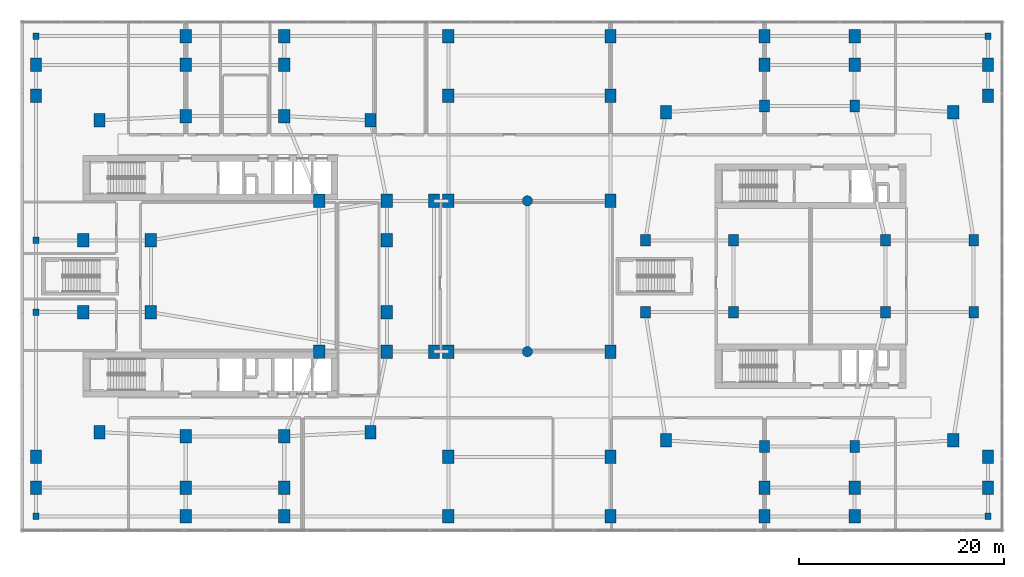
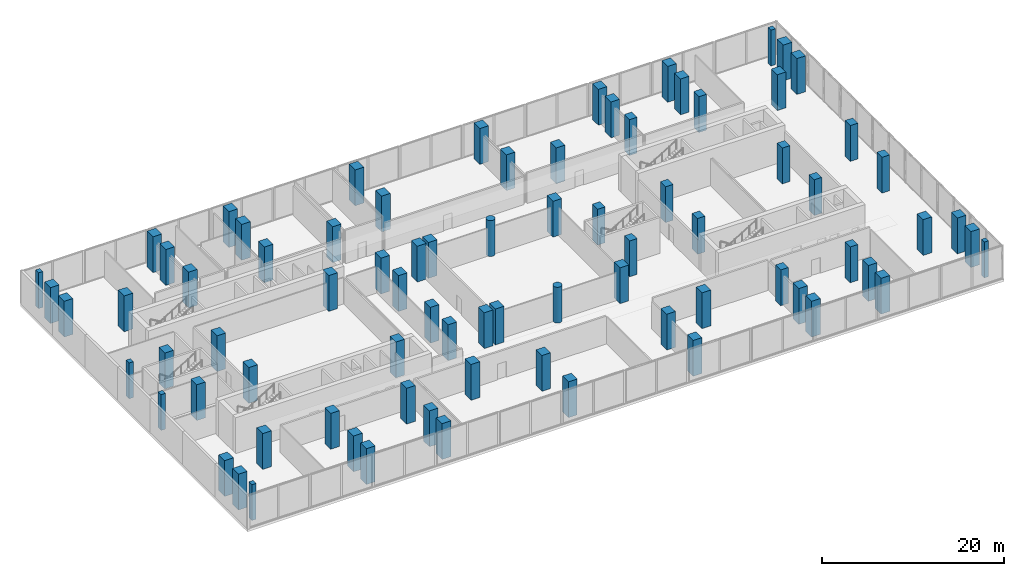
# One storey, part 1 of 23: 80 columns.
"""IFC4 building model written with IfcOpenShell, lengths in metres."""

from ifc_helpers import new_model, si_unit, derived_unit, direction, frame, origin, origin_2d, place, context, subcontext, project, spatial, rectangle, circle, extrude, material, material_profile, profile_set, type_object, element, save


model = new_model("IFC4")

# Units and contexts
model_context = context("Model", 3, precision=1e-05, world=origin(), true_north=direction((0.0, 1.0)))
body_context = subcontext(model_context, "Body", "Model", "MODEL_VIEW")
ifc_project = project(units=[si_unit("LENGTHUNIT", "METRE"), si_unit("AREAUNIT", "SQUARE_METRE"), si_unit("VOLUMEUNIT", "CUBIC_METRE"), si_unit("PLANEANGLEUNIT", "RADIAN"), si_unit("MASSUNIT", "GRAM", prefix="KILO"), derived_unit("THERMALTRANSMITTANCEUNIT", [(si_unit("POWERUNIT", "WATT"), 1), (si_unit("LENGTHUNIT", "METRE"), -2), (si_unit("THERMODYNAMICTEMPERATUREUNIT", "KELVIN"), -1)])], contexts=[model_context])

# Site, building, storey
site_placement = place(None, origin())
site = spatial("IfcSite", under=ifc_project, at=site_placement, CompositionType="ELEMENT")
building_placement = place(site_placement, origin())
building = spatial("IfcBuilding", under=site, at=building_placement, Name="Kivonza Crest Hotel", CompositionType="ELEMENT")
storey_placement = place(building_placement, frame((0.0, 0.0, 5.39990234375)))
storey = spatial("IfcBuildingStorey", under=building, at=storey_placement, Name="L01", CompositionType="ELEMENT", Elevation=5.39990234375)

# Columns
ifc_material = material(Name="Concrete C60/75", Category="concrete")
ifc_material_profile_1 = material_profile(ifc_material, rectangle(XDim=0.550048828125, YDim=0.64990234375, at=origin_2d()), Name="RC 650x550")
ifc_profile_set_1 = profile_set([ifc_material_profile_1], Name="Concrete C60/75")
column_type_1 = type_object("IfcColumnType", Name="CL-PIL-650x550", PredefinedType="PILASTER", material=ifc_profile_set_1)
for number, where, z_axis, x_axis, name in (
    (1, (1.60009765625, 21.5, 0.0), (0.0, 0.0, 1.0), (1.0, 0.0, 0.0), "Tower T1 L01 column Z1W1"),
    (2, (1.60009765625, 28.5, 0.0), (0.0, 0.0, 1.0), (1.0, 0.0, 0.0), "Tower T1 L01 column Z1W2"),
    (3, (1.60009765625, 1.60009765625, 0.0), (0.0, 0.0, 1.0), (1.0, 0.0, 0.0), "Podium L01 column PS01"),
    (4, (1.60009765625, 48.39990234375, 0.0), (0.0, 0.0, 1.0), (1.0, 0.0, 0.0), "Podium L01 column PN01"),
    (5, (94.39990234375, 1.60009765625, 0.0), (0.0, 0.0, 1.0), (1.0, 0.0, 0.0), "Podium L01 column PS08"),
    (6, (94.39990234375, 48.39990234375, 0.0), (0.0, 0.0, 1.0), (1.0, 0.0, 0.0), "Podium L01 column PN08"),
):
    element("IfcColumn", number, at=place(storey_placement, frame(where, z_axis=z_axis, x_axis=x_axis)), inside=storey, type_object=column_type_1, Name=name, PredefinedType="PILASTER", context=body_context, shape_type="SweptSolid", body=[
        extrude(rectangle(XDim=0.550048828125, YDim=0.64990234375, at=origin_2d()), origin(), (0.0, 0.0, 1.0), 4.800048828125),
    ])
ifc_material_profile_2 = material_profile(ifc_material, rectangle(XDim=0.949951171875, YDim=1.14990234375, at=origin_2d()), Name="RC 1150x950")
ifc_profile_set_2 = profile_set([ifc_material_profile_2], Name="Concrete C60/75")
column_type_2 = type_object("IfcColumnType", Name="CL-RC-1150x950", PredefinedType="COLUMN", material=ifc_profile_set_2)
for number, where, z_axis, x_axis, name in (
    (7, (72.60009765625, 8.39990234375, 0.0), (0.0, 0.0, 1.0), (1.0, 0.0, 0.0), "Companion Tower T2 L01 column S1"),
    (8, (81.39990234375, 8.39990234375, 0.0), (0.0, 0.0, 1.0), (1.0, 0.0, 0.0), "Companion Tower T2 L01 column S2"),
    (9, (72.60009765625, 41.60009765625, 0.0), (0.0, 0.0, 1.0), (1.0, 0.0, 0.0), "Companion Tower T2 L01 column N1"),
    (10, (81.39990234375, 41.60009765625, 0.0), (0.0, 0.0, 1.0), (1.0, 0.0, 0.0), "Companion Tower T2 L01 column N2"),
    (11, (61.0, 21.5, 0.0), (0.0, 0.0, 1.0), (1.0, 0.0, 0.0), "Companion Tower T2 L01 column W1"),
    (12, (61.0, 28.5, 0.0), (0.0, 0.0, 1.0), (1.0, 0.0, 0.0), "Companion Tower T2 L01 column W2"),
    (13, (93.0, 21.5, 0.0), (0.0, 0.0, 1.0), (1.0, 0.0, 0.0), "Companion Tower T2 L01 column E1"),
    (14, (93.0, 28.5, 0.0), (0.0, 0.0, 1.0), (1.0, 0.0, 0.0), "Companion Tower T2 L01 column E2"),
    (15, (69.60009765625, 21.5, 0.0), (0.0, 0.0, 1.0), (1.0, 0.0, 0.0), "Companion Tower T2 L01 column WL1"),
    (16, (69.60009765625, 28.5, 0.0), (0.0, 0.0, 1.0), (1.0, 0.0, 0.0), "Companion Tower T2 L01 column WL2"),
    (17, (84.39990234375, 21.5, 0.0), (0.0, 0.0, 1.0), (1.0, 0.0, 0.0), "Companion Tower T2 L01 column WR1"),
    (18, (84.39990234375, 28.5, 0.0), (0.0, 0.0, 1.0), (1.0, 0.0, 0.0), "Companion Tower T2 L01 column WR2"),
):
    element("IfcColumn", number, at=place(storey_placement, frame(where, z_axis=z_axis, x_axis=x_axis)), inside=storey, type_object=column_type_2, Name=name, PredefinedType="COLUMN", context=body_context, shape_type="SweptSolid", body=[
        extrude(rectangle(XDim=0.949951171875, YDim=1.14990234375, at=origin_2d()), origin(), (0.0, 0.0, 1.0), 4.800048828125),
    ])
ifc_material_profile_3 = material_profile(ifc_material, rectangle(XDim=1.10009765625, YDim=1.300048828125, at=origin_2d()), Name="RC 1300x1100")
ifc_profile_set_3 = profile_set([ifc_material_profile_3], Name="Concrete C60/75")
column_type_3 = type_object("IfcColumnType", Name="CL-RC-1300x1100", PredefinedType="COLUMN", material=ifc_profile_set_3)
for number, where, z_axis, x_axis, name in (
    (19, (16.199951171875, 9.39990234375, 0.0), (0.0, 0.0, 1.0), (1.0, 0.0, 0.0), "Tower T1 L01 column S1"),
    (20, (25.800048828125, 9.39990234375, 0.0), (0.0, 0.0, 1.0), (1.0, 0.0, 0.0), "Tower T1 L01 column S2"),
    (21, (16.199951171875, 40.60009765625, 0.0), (0.0, 0.0, 1.0), (1.0, 0.0, 0.0), "Tower T1 L01 column N1"),
    (22, (25.800048828125, 40.60009765625, 0.0), (0.0, 0.0, 1.0), (1.0, 0.0, 0.0), "Tower T1 L01 column N2"),
    (23, (6.199951171875, 21.5, 0.0), (0.0, 0.0, 1.0), (1.0, 0.0, 0.0), "Tower T1 L01 column W1"),
    (24, (6.199951171875, 28.5, 0.0), (0.0, 0.0, 1.0), (1.0, 0.0, 0.0), "Tower T1 L01 column W2"),
    (25, (7.800048828125, 9.800048828125, 0.0), (0.0, 0.0, 1.0), (1.0, 0.0, 0.0), "Tower T1 L01 column SW"),
    (26, (34.199951171875, 9.800048828125, 0.0), (0.0, 0.0, 1.0), (1.0, 0.0, 0.0), "Tower T1 L01 column SE"),
    (27, (34.199951171875, 40.199951171875, 0.0), (0.0, 0.0, 1.0), (1.0, 0.0, 0.0), "Tower T1 L01 column NE"),
    (28, (7.800048828125, 40.199951171875, 0.0), (0.0, 0.0, 1.0), (1.0, 0.0, 0.0), "Tower T1 L01 column NW"),
    (29, (35.800048828125, 21.5, 0.0), (0.0, 0.0, 1.0), (1.0, 0.0, 0.0), "Tower T1 L01 column E1"),
    (30, (35.800048828125, 28.5, 0.0), (0.0, 0.0, 1.0), (1.0, 0.0, 0.0), "Tower T1 L01 column E2"),
    (31, (35.800048828125, 17.64990234375, 0.0), (0.0, 0.0, 1.0), (1.0, 0.0, 0.0), "Tower T1 L01 column PSE"),
    (32, (35.800048828125, 32.35009765625, 0.0), (0.0, 0.0, 1.0), (1.0, 0.0, 0.0), "Tower T1 L01 column PNE"),
    (33, (12.800048828125, 21.5, 0.0), (0.0, 0.0, 1.0), (1.0, 0.0, 0.0), "Tower T1 L01 column WL1"),
    (34, (12.800048828125, 28.5, 0.0), (0.0, 0.0, 1.0), (1.0, 0.0, 0.0), "Tower T1 L01 column WL2"),
    (35, (29.199951171875, 17.64990234375, 0.0), (0.0, 0.0, 1.0), (1.0, 0.0, 0.0), "Tower T1 L01 column TSE"),
    (36, (29.199951171875, 32.35009765625, 0.0), (0.0, 0.0, 1.0), (1.0, 0.0, 0.0), "Tower T1 L01 column TNE"),
    (37, (40.39990234375, 17.64990234375, 0.0), (0.0, 0.0, 1.0), (1.0, 0.0, 0.0), "Tower T1 L01 column Z1E1"),
    (38, (40.39990234375, 32.35009765625, 0.0), (0.0, 0.0, 1.0), (1.0, 0.0, 0.0), "Tower T1 L01 column Z1E2"),
    (39, (63.0, 9.0, 0.0), (0.0, 0.0, 1.0), (1.0, 0.0, 0.0), "Companion Tower T2 L01 column SW"),
    (40, (91.0, 9.0, 0.0), (0.0, 0.0, 1.0), (1.0, 0.0, 0.0), "Companion Tower T2 L01 column SE"),
    (41, (91.0, 41.0, 0.0), (0.0, 0.0, 1.0), (1.0, 0.0, 0.0), "Companion Tower T2 L01 column NE"),
    (42, (63.0, 41.0, 0.0), (0.0, 0.0, 1.0), (1.0, 0.0, 0.0), "Companion Tower T2 L01 column NW"),
    (43, (41.800048828125, 17.64990234375, 0.0), (0.0, 0.0, 1.0), (1.0, 0.0, 0.0), "Podium L01 column LK1S"),
    (44, (41.800048828125, 32.35009765625, 0.0), (0.0, 0.0, 1.0), (1.0, 0.0, 0.0), "Podium L01 column LK1N"),
    (45, (57.60009765625, 17.64990234375, 0.0), (0.0, 0.0, 1.0), (1.0, 0.0, 0.0), "Podium L01 column LK3S"),
    (46, (57.60009765625, 32.35009765625, 0.0), (0.0, 0.0, 1.0), (1.0, 0.0, 0.0), "Podium L01 column LK3N"),
    (47, (16.199951171875, 1.60009765625, 0.0), (0.0, 0.0, 1.0), (1.0, 0.0, 0.0), "Podium L01 column PS02"),
    (48, (16.199951171875, 48.39990234375, 0.0), (0.0, 0.0, 1.0), (1.0, 0.0, 0.0), "Podium L01 column PN02"),
    (49, (25.800048828125, 1.60009765625, 0.0), (0.0, 0.0, 1.0), (1.0, 0.0, 0.0), "Podium L01 column PS03"),
    (50, (25.800048828125, 48.39990234375, 0.0), (0.0, 0.0, 1.0), (1.0, 0.0, 0.0), "Podium L01 column PN03"),
    (51, (41.800048828125, 1.60009765625, 0.0), (0.0, 0.0, 1.0), (1.0, 0.0, 0.0), "Podium L01 column PS04"),
    (52, (41.800048828125, 48.39990234375, 0.0), (0.0, 0.0, 1.0), (1.0, 0.0, 0.0), "Podium L01 column PN04"),
    (53, (57.60009765625, 1.60009765625, 0.0), (0.0, 0.0, 1.0), (1.0, 0.0, 0.0), "Podium L01 column PS05"),
    (54, (57.60009765625, 48.39990234375, 0.0), (0.0, 0.0, 1.0), (1.0, 0.0, 0.0), "Podium L01 column PN05"),
    (55, (72.60009765625, 1.60009765625, 0.0), (0.0, 0.0, 1.0), (1.0, 0.0, 0.0), "Podium L01 column PS06"),
    (56, (72.60009765625, 48.39990234375, 0.0), (0.0, 0.0, 1.0), (1.0, 0.0, 0.0), "Podium L01 column PN06"),
    (57, (81.39990234375, 1.60009765625, 0.0), (0.0, 0.0, 1.0), (1.0, 0.0, 0.0), "Podium L01 column PS07"),
    (58, (81.39990234375, 48.39990234375, 0.0), (0.0, 0.0, 1.0), (1.0, 0.0, 0.0), "Podium L01 column PN07"),
    (59, (1.60009765625, 4.39990234375, 0.0), (0.0, 0.0, 1.0), (1.0, 0.0, 0.0), "Podium L01 column PS21"),
    (60, (1.60009765625, 45.60009765625, 0.0), (0.0, 0.0, 1.0), (1.0, 0.0, 0.0), "Podium L01 column PN21"),
    (61, (16.199951171875, 4.39990234375, 0.0), (0.0, 0.0, 1.0), (1.0, 0.0, 0.0), "Podium L01 column PS22"),
    (62, (16.199951171875, 45.60009765625, 0.0), (0.0, 0.0, 1.0), (1.0, 0.0, 0.0), "Podium L01 column PN22"),
    (63, (25.800048828125, 4.39990234375, 0.0), (0.0, 0.0, 1.0), (1.0, 0.0, 0.0), "Podium L01 column PS23"),
    (64, (25.800048828125, 45.60009765625, 0.0), (0.0, 0.0, 1.0), (1.0, 0.0, 0.0), "Podium L01 column PN23"),
    (65, (72.60009765625, 4.39990234375, 0.0), (0.0, 0.0, 1.0), (1.0, 0.0, 0.0), "Podium L01 column PS24"),
    (66, (72.60009765625, 45.60009765625, 0.0), (0.0, 0.0, 1.0), (1.0, 0.0, 0.0), "Podium L01 column PN24"),
    (67, (81.39990234375, 4.39990234375, 0.0), (0.0, 0.0, 1.0), (1.0, 0.0, 0.0), "Podium L01 column PS25"),
    (68, (81.39990234375, 45.60009765625, 0.0), (0.0, 0.0, 1.0), (1.0, 0.0, 0.0), "Podium L01 column PN25"),
    (69, (94.39990234375, 4.39990234375, 0.0), (0.0, 0.0, 1.0), (1.0, 0.0, 0.0), "Podium L01 column PS26"),
    (70, (94.39990234375, 45.60009765625, 0.0), (0.0, 0.0, 1.0), (1.0, 0.0, 0.0), "Podium L01 column PN26"),
    (71, (1.60009765625, 7.39990234375, 0.0), (0.0, 0.0, 1.0), (1.0, 0.0, 0.0), "Podium L01 column PS41"),
    (72, (1.60009765625, 42.60009765625, 0.0), (0.0, 0.0, 1.0), (1.0, 0.0, 0.0), "Podium L01 column PN41"),
    (73, (41.800048828125, 7.39990234375, 0.0), (0.0, 0.0, 1.0), (1.0, 0.0, 0.0), "Podium L01 column PS42"),
    (74, (41.800048828125, 42.60009765625, 0.0), (0.0, 0.0, 1.0), (1.0, 0.0, 0.0), "Podium L01 column PN42"),
    (75, (57.60009765625, 7.39990234375, 0.0), (0.0, 0.0, 1.0), (1.0, 0.0, 0.0), "Podium L01 column PS43"),
    (76, (57.60009765625, 42.60009765625, 0.0), (0.0, 0.0, 1.0), (1.0, 0.0, 0.0), "Podium L01 column PN43"),
    (77, (94.39990234375, 7.39990234375, 0.0), (0.0, 0.0, 1.0), (1.0, 0.0, 0.0), "Podium L01 column PS44"),
    (78, (94.39990234375, 42.60009765625, 0.0), (0.0, 0.0, 1.0), (1.0, 0.0, 0.0), "Podium L01 column PN44"),
):
    element("IfcColumn", number, at=place(storey_placement, frame(where, z_axis=z_axis, x_axis=x_axis)), inside=storey, type_object=column_type_3, Name=name, PredefinedType="COLUMN", context=body_context, shape_type="SweptSolid", body=[
        extrude(rectangle(XDim=1.10009765625, YDim=1.300048828125, at=origin_2d()), origin(), (0.0, 0.0, 1.0), 4.800048828125),
    ])
ifc_material_profile_4 = material_profile(ifc_material, circle(Radius=0.5, at=origin_2d()), Name="RC D1000")
ifc_profile_set_4 = profile_set([ifc_material_profile_4], Name="Concrete C60/75")
column_type_4 = type_object("IfcColumnType", Name="CL-RC-D1000", PredefinedType="COLUMN", material=ifc_profile_set_4)
for number, where, z_axis, x_axis, name in (
    (79, (49.5, 17.64990234375, 0.0), (0.0, 0.0, 1.0), (1.0, 0.0, 0.0), "Podium L01 column LK2S"),
    (80, (49.5, 32.35009765625, 0.0), (0.0, 0.0, 1.0), (1.0, 0.0, 0.0), "Podium L01 column LK2N"),
):
    element("IfcColumn", number, at=place(storey_placement, frame(where, z_axis=z_axis, x_axis=x_axis)), inside=storey, type_object=column_type_4, Name=name, PredefinedType="COLUMN", context=body_context, shape_type="SweptSolid", body=[
        extrude(circle(Radius=0.5, at=origin_2d()), origin(), (0.0, 0.0, 1.0), 4.800048828125),
    ])

save(model, "model.ifc")
